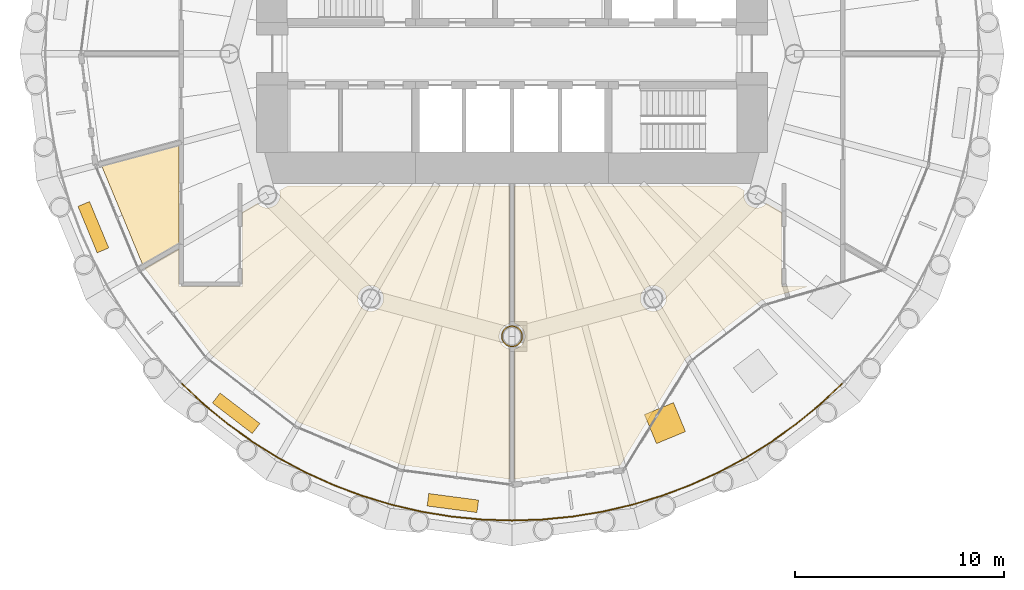
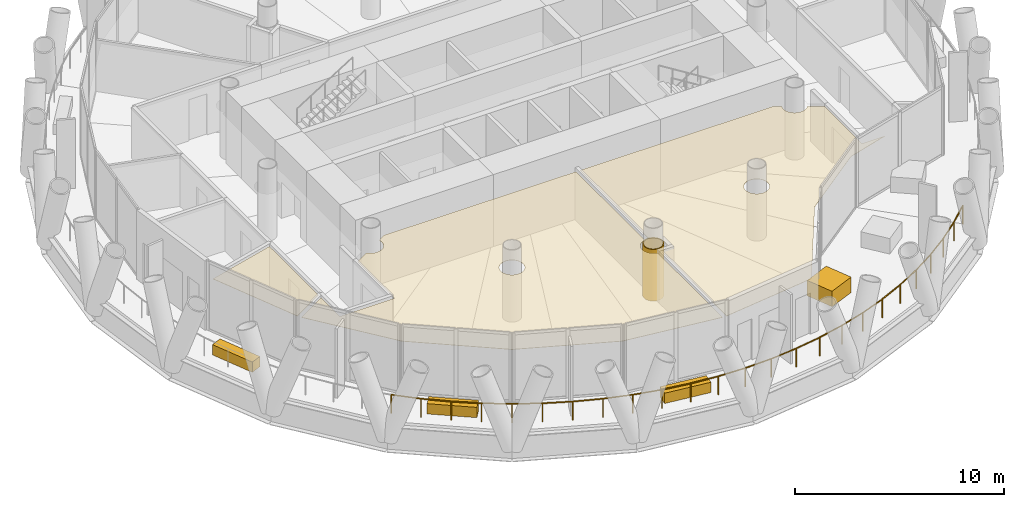
# One storey, part 11 of 14: 8 coverings, 1 railing.
"""IFC4 building model written with IfcOpenShell, lengths in metres."""

import ifcopenshell
import ifcopenshell.guid

model = None  # the IFC model being written
_history = None  # IfcOwnerHistory: only IFC2X3 demands one
_inside = {}  # id of a spatial element -> (the spatial element, [elements in it])
_under = {}  # id of a project, library or spatial element -> (it, [spatial elements below it])
_declared = {}  # id of a project -> (the project, [libraries it declares])
_typed = {}  # id of a type object -> (the type object, [elements of that type])
_made_of = {}  # id of a material, layer set ... -> (it, [elements and type objects made of it])


def new_model(schema):
    """Start an empty IFC model of exactly this schema.

    Asked for "IFC4X3", IfcOpenShell would pick the latest addendum, in which some entities
    have other attributes; the version numbers below select the first issue.
    IFC2X3 requires an IfcOwnerHistory on every rooted entity: one is made here for all.
    """
    global model, _history
    if schema == "IFC4X3":
        model = ifcopenshell.file(schema_version=(4, 3, 0, 0))
    else:
        model = ifcopenshell.file(schema=schema)
    _inside.clear()
    _under.clear()
    _declared.clear()
    _typed.clear()
    _made_of.clear()
    _history = None
    if model.schema == "IFC2X3":
        org = make("IfcOrganization", Name="unknown")
        user = make(
            "IfcPersonAndOrganization",
            ThePerson=make("IfcPerson", FamilyName="unknown"),
            TheOrganization=org,
        )
        app = make(
            "IfcApplication",
            ApplicationDeveloper=org,
            Version="unknown",
            ApplicationFullName="unknown",
            ApplicationIdentifier="unknown",
        )
        _history = make(
            "IfcOwnerHistory",
            OwningUser=user,
            OwningApplication=app,
            ChangeAction="ADDED",
            CreationDate=0,
        )
    return model


def make(cls, **values):
    """One entity of the class cls with the attributes given. An attribute that is None is left unset."""
    return model.create_entity(
        cls, **{name: value for name, value in values.items() if value is not None}
    )


def rooted(cls, **values):
    """An entity with a GlobalId (a new one), such as an element, a storey or a relation."""
    return make(cls, GlobalId=ifcopenshell.guid.new(), OwnerHistory=_history, **values)


def si_unit(unit_type, name, prefix=None):
    """IfcSIUnit, for example si_unit("LENGTHUNIT", "METRE", prefix="MILLI")."""
    return make("IfcSIUnit", UnitType=unit_type, Prefix=prefix, Name=name)


def assignment(units):
    """IfcUnitAssignment: the units of a project."""
    return None if units is None else make("IfcUnitAssignment", Units=units)


def point(xyz):
    """IfcCartesianPoint."""
    return None if xyz is None else make("IfcCartesianPoint", Coordinates=xyz)


def direction(xyz):
    """IfcDirection."""
    return None if xyz is None else make("IfcDirection", DirectionRatios=xyz)


def frame(location, z_axis=None, x_axis=None):
    """IfcAxis2Placement3D, a coordinate frame: its origin and axes. An axis left out is left unset."""
    return make(
        "IfcAxis2Placement3D",
        Location=point(location),
        Axis=direction(z_axis),
        RefDirection=direction(x_axis),
    )


def frame_2d(location, x_axis=None):
    """IfcAxis2Placement2D, a coordinate frame in the plane: its origin and x axis."""
    return make(
        "IfcAxis2Placement2D", Location=point(location), RefDirection=direction(x_axis)
    )


def origin():
    """The frame at (0, 0, 0) with its axes left unset."""
    return frame((0.0, 0.0, 0.0))


def origin_2d():
    """The frame at (0, 0) in the plane with its x axis left unset."""
    return frame_2d((0.0, 0.0))


def place(relative_to, where):
    """IfcLocalPlacement: puts the frame where relative to a parent placement (None: the world)."""
    return make(
        "IfcLocalPlacement", PlacementRelTo=relative_to, RelativePlacement=where
    )


def context(
    kind, dimensions, precision=None, world=None, true_north=None, identifier=None
):
    """IfcGeometricRepresentationContext, for example the 3D "Model" context."""
    return make(
        "IfcGeometricRepresentationContext",
        ContextIdentifier=identifier,
        ContextType=kind,
        CoordinateSpaceDimension=dimensions,
        Precision=precision,
        WorldCoordinateSystem=world,
        TrueNorth=true_north,
    )


def subcontext(parent, identifier, kind, view, scale=None):
    """IfcGeometricRepresentationSubContext, for example "Body" below "Model"."""
    return make(
        "IfcGeometricRepresentationSubContext",
        ContextIdentifier=identifier,
        ContextType=kind,
        ParentContext=parent,
        TargetScale=scale,
        TargetView=view,
    )


def project(units=None, contexts=None):
    """IfcProject with its units and contexts."""
    return rooted(
        "IfcProject",
        Name="project",
        RepresentationContexts=contexts,
        UnitsInContext=assignment(units),
    )


def spatial(cls, under=None, at=None, **own):
    """A site, building, storey or space (cls), placed at a placement, below another one or the project."""
    s = rooted(cls, ObjectPlacement=at, **own)
    if under is not None:
        _under.setdefault(under.id(), (under, []))[1].append(s)
    return s


def polyline(points):
    """IfcPolyline through the points."""
    return make("IfcPolyline", Points=[point(p) for p in points])


def profile(cls, at=None, kind="AREA", **sizes):
    """A parametric profile (cls). Its sizes go by their IFC names, for example OverallWidth=200.0."""
    return make(cls, ProfileType=kind, Position=at, **sizes)


def rectangle(**sizes):
    """IfcRectangleProfileDef."""
    return profile("IfcRectangleProfileDef", **sizes)


def circle(**sizes):
    """IfcCircleProfileDef."""
    return profile("IfcCircleProfileDef", **sizes)


def outline(outer, holes=None, kind="AREA"):
    """IfcArbitraryClosedProfileDef: a profile drawn as a closed curve; with holes, ...WithVoids."""
    if holes is None:
        return make("IfcArbitraryClosedProfileDef", ProfileType=kind, OuterCurve=outer)
    return make(
        "IfcArbitraryProfileDefWithVoids",
        ProfileType=kind,
        OuterCurve=outer,
        InnerCurves=holes,
    )


def extrude(swept, where, along, depth):
    """IfcExtrudedAreaSolid: the profile swept, set in the frame where, extruded along a direction by depth."""
    return make(
        "IfcExtrudedAreaSolid",
        SweptArea=swept,
        Position=where,
        ExtrudedDirection=direction(along),
        Depth=depth,
    )


def shape(context_of_items, identifier, shape_type, items):
    """IfcShapeRepresentation: the items that make up one representation, for example the "Body"."""
    return make(
        "IfcShapeRepresentation",
        ContextOfItems=context_of_items,
        RepresentationIdentifier=identifier,
        RepresentationType=shape_type,
        Items=items,
    )


def material(Name=None, Category=None):
    """IfcMaterial."""
    return make("IfcMaterial", Name=Name, Category=Category)


def layer(
    of_material, thickness, ventilated=None, Name=None, Category=None, Priority=None
):
    """IfcMaterialLayer: one layer of a wall or slab, of a material (None: an air gap)."""
    return make(
        "IfcMaterialLayer",
        Material=of_material,
        LayerThickness=thickness,
        IsVentilated=ventilated,
        Name=Name,
        Category=Category,
        Priority=Priority,
    )


def layer_set(layers, Name=None):
    """IfcMaterialLayerSet."""
    return make("IfcMaterialLayerSet", MaterialLayers=layers, LayerSetName=Name)


def made_of(thing, what):
    """Note that an element or type object is made of a material, layer set ...; save() writes the relation."""
    if what is not None:
        _made_of.setdefault(what.id(), (what, []))[1].append(thing)
    return thing


def type_object(cls, material=None, **own):
    """A type object (cls), such as IfcWallType, which elements share."""
    return made_of(rooted(cls, **own), material)


def element(
    cls,
    number,
    at=None,
    inside=None,
    cuts=None,
    type_object=None,
    material=None,
    context=None,
    identifier="Body",
    shape_type=None,
    held_by="IfcProductDefinitionShape",
    body=None,
    shapes=None,
    **own,
):
    """One element of the class cls, such as IfcWall. Its Tag is "e" and its number.

    at: its placement. inside: the storey or other place that contains it. cuts: it is an
    opening in that element (IfcRelVoidsElement). A single representation is given by context,
    identifier, shape_type and body (its items); several are given by shapes. held_by: the class
    of the entity that holds the representations. save() writes the other relations.
    """
    e = rooted(cls, Tag="e%d" % number, ObjectPlacement=at, **own)
    if body is not None:
        shapes = [shape(context, identifier, shape_type, body)]
    if shapes is not None:
        e.Representation = make(held_by, Representations=shapes)
    if inside is not None:
        _inside.setdefault(inside.id(), (inside, []))[1].append(e)
    if cuts is not None:
        rooted(
            "IfcRelVoidsElement", RelatingBuildingElement=cuts, RelatedOpeningElement=e
        )
    if type_object is not None:
        _typed.setdefault(type_object.id(), (type_object, []))[1].append(e)
    return made_of(e, material)


def aggregate(whole, parts):
    """IfcRelAggregates: a whole, such as a stair, and the parts it consists of."""
    return rooted("IfcRelAggregates", RelatingObject=whole, RelatedObjects=parts)


def save(model, path):
    """Write the relations noted so far, then the file.

    IfcRelAggregates (storeys below a building ...), IfcRelContainedInSpatialStructure (elements
    in a storey), IfcRelDefinesByType, IfcRelAssociatesMaterial and IfcRelDeclares: one each for
    every whole, place, type object, material and project.
    """
    for whole, parts in _under.values():
        aggregate(whole, parts)
    for where, things in _inside.values():
        rooted(
            "IfcRelContainedInSpatialStructure",
            RelatedElements=things,
            RelatingStructure=where,
        )
    for kind, things in _typed.values():
        rooted("IfcRelDefinesByType", RelatedObjects=things, RelatingType=kind)
    for what, things in _made_of.values():
        rooted("IfcRelAssociatesMaterial", RelatedObjects=things, RelatingMaterial=what)
    for by, libraries in _declared.values():
        rooted("IfcRelDeclares", RelatingContext=by, RelatedDefinitions=libraries)
    model.write(path)


model = new_model("IFC4")

# Units and contexts
model_context = context("Model", 3, precision=1e-05, world=origin(), true_north=direction((0.0, 1.0)))
body_context = subcontext(model_context, "Body", "Model", "MODEL_VIEW")
ifc_project = project(units=[si_unit("LENGTHUNIT", "METRE"), si_unit("AREAUNIT", "SQUARE_METRE"), si_unit("VOLUMEUNIT", "CUBIC_METRE"), si_unit("PLANEANGLEUNIT", "RADIAN"), si_unit("MASSUNIT", "GRAM", prefix="KILO")], contexts=[model_context])

# Site, building, storey
site_placement = place(None, origin())
site = spatial("IfcSite", under=ifc_project, at=site_placement, CompositionType="ELEMENT")
building_placement = place(site_placement, origin())
building = spatial("IfcBuilding", under=site, at=building_placement, Name="Qaws Media Tower", CompositionType="ELEMENT")
storey_placement = place(building_placement, frame((0.0, 0.0, 210.800048828125)))
storey = spatial("IfcBuildingStorey", under=building, at=storey_placement, Name="L48", CompositionType="ELEMENT", Elevation=210.800048828125)

# Railing
ifc_material_1 = material(Name="Stainless steel and glass guard", Category="steel")
railing_type = type_object("IfcRailingType", Name="Balcony guard 1100", PredefinedType="GUARDRAIL", material=ifc_material_1)
railing_placement = place(storey_placement, frame((44.2314453125, 34.2314453125, 0.0)))
element("IfcRailing", 1, at=railing_placement, inside=storey, type_object=railing_type, Name="GR1 balcony guard L48-3", PredefinedType="GUARDRAIL", context=body_context, shape_type="SweptSolid", body=[
    extrude(circle(Radius=0.02392578125, at=origin_2d()), frame((0.0, 0.0, 1.076171875), z_axis=(0.72989707755, -0.683557061396, 0.0), x_axis=(0.683557061396, 0.72989707755, 0.0)), (0.0, 0.0, 1.0), 1.45947265625),
    extrude(circle(Radius=0.02392578125, at=origin_2d()), frame((1.065185546875, -0.99755859375, 1.076171875), z_axis=(0.772972382997, -0.6344396702, 0.0), x_axis=(0.6344396702, 0.772972382997, 0.0)), (0.0, 0.0, 1.0), 1.459228515625),
    extrude(circle(Radius=0.02392578125, at=origin_2d()), frame((2.193115234375, -1.92333984375, 1.076171875), z_axis=(0.812918773446, -0.582377083837, 0.0), x_axis=(0.582377083837, 0.812918773446, 0.0)), (0.0, 0.0, 1.0), 1.459228515625),
    extrude(circle(Radius=0.02392578125, at=origin_2d()), frame((3.37939453125, -2.773193359375, 1.076171875), z_axis=(0.849236664159, -0.528012394028, 0.0), x_axis=(0.528012394028, 0.849236664159, 0.0)), (0.0, 0.0, 1.0), 1.459228515625),
    extrude(circle(Radius=0.02392578125, at=origin_2d()), frame((4.61865234375, -3.543701171875, 1.076171875), z_axis=(0.881880097738, -0.471473746049, 0.0), x_axis=(0.471473746049, 0.881880097738, 0.0)), (0.0, 0.0, 1.0), 1.459228515625),
    extrude(circle(Radius=0.02392578125, at=origin_2d()), frame((5.905517578125, -4.231689453125, 1.076171875), z_axis=(0.910841452215, -0.41275640386, 0.0), x_axis=(0.41275640386, 0.910841452215, 0.0)), (0.0, 0.0, 1.0), 1.459228515625),
    extrude(circle(Radius=0.02392578125, at=origin_2d()), frame((7.234619140625, -4.833984375, 1.076171875), z_axis=(0.935929780964, -0.352186662304, 0.0), x_axis=(0.352186662304, 0.935929780964, 0.0)), (0.0, 0.0, 1.0), 1.459228515625),
    extrude(circle(Radius=0.02392578125, at=origin_2d()), frame((8.600341796875, -5.347900390625, 1.076171875), z_axis=(0.956946982527, -0.290262764805, 0.0), x_axis=(0.290262764805, 0.956946982527, 0.0)), (0.0, 0.0, 1.0), 1.459228515625),
    extrude(circle(Radius=0.02392578125, at=origin_2d()), frame((9.996826171875, -5.771484375, 1.076171875), z_axis=(0.973849847258, -0.227192594499, 0.0), x_axis=(0.227192594499, 0.973849847258, 0.0)), (0.0, 0.0, 1.0), 1.459228515625),
    extrude(circle(Radius=0.02392578125, at=origin_2d()), frame((11.41796875, -6.10302734375, 1.076171875), z_axis=(0.986663858539, -0.162771097721, 0.0), x_axis=(0.162771097721, 0.986663858539, 0.0)), (0.0, 0.0, 1.0), 1.45947265625),
    extrude(circle(Radius=0.02392578125, at=origin_2d()), frame((12.85791015625, -6.340576171875, 1.076171875), z_axis=(0.99518190062, -0.098045829483, 0.0), x_axis=(0.098045829483, 0.99518190062, 0.0)), (0.0, 0.0, 1.0), 1.459228515625),
    extrude(circle(Radius=0.02392578125, at=origin_2d()), frame((14.31005859375, -6.483642578125, 1.076171875), z_axis=(0.99946222418, -0.032791194499, 0.0), x_axis=(0.032791194499, 0.99946222418, 0.0)), (0.0, 0.0, 1.0), 1.459228515625),
    extrude(circle(Radius=0.02392578125, at=origin_2d()), frame((15.7685546875, -6.531494140625, 1.076171875), z_axis=(0.99946222418, 0.032791194499, 0.0), x_axis=(-0.032791194499, 0.99946222418, 0.0)), (0.0, 0.0, 1.0), 1.459228515625),
    extrude(circle(Radius=0.02392578125, at=origin_2d()), frame((17.22705078125, -6.483642578125, 1.076171875), z_axis=(0.99518190062, 0.098045829483, 0.0), x_axis=(-0.098045829483, 0.99518190062, 0.0)), (0.0, 0.0, 1.0), 1.459228515625),
    extrude(circle(Radius=0.02392578125, at=origin_2d()), frame((18.67919921875, -6.340576171875, 1.076171875), z_axis=(0.986663858539, 0.162771097721, 0.0), x_axis=(-0.162771097721, 0.986663858539, 0.0)), (0.0, 0.0, 1.0), 1.45947265625),
    extrude(circle(Radius=0.02392578125, at=origin_2d()), frame((20.119140625, -6.10302734375, 1.076171875), z_axis=(0.973849847258, 0.227192594499, 0.0), x_axis=(-0.227192594499, 0.973849847258, 0.0)), (0.0, 0.0, 1.0), 1.459228515625),
    extrude(circle(Radius=0.02392578125, at=origin_2d()), frame((21.540283203125, -5.771484375, 1.076171875), z_axis=(0.956946982527, 0.290262764805, 0.0), x_axis=(-0.290262764805, 0.956946982527, 0.0)), (0.0, 0.0, 1.0), 1.459228515625),
    extrude(circle(Radius=0.02392578125, at=origin_2d()), frame((22.936767578125, -5.347900390625, 1.076171875), z_axis=(0.935929780964, 0.352186662304, 0.0), x_axis=(-0.352186662304, 0.935929780964, 0.0)), (0.0, 0.0, 1.0), 1.459228515625),
    extrude(circle(Radius=0.02392578125, at=origin_2d()), frame((24.302490234375, -4.833984375, 1.076171875), z_axis=(0.910841452215, 0.41275640386, 0.0), x_axis=(-0.41275640386, 0.910841452215, 0.0)), (0.0, 0.0, 1.0), 1.459228515625),
    extrude(circle(Radius=0.02392578125, at=origin_2d()), frame((25.631591796875, -4.231689453125, 1.076171875), z_axis=(0.881880097738, 0.471473746049, 0.0), x_axis=(-0.471473746049, 0.881880097738, 0.0)), (0.0, 0.0, 1.0), 1.459228515625),
    extrude(circle(Radius=0.02392578125, at=origin_2d()), frame((26.91845703125, -3.543701171875, 1.076171875), z_axis=(0.849236664159, 0.528012394028, 0.0), x_axis=(-0.528012394028, 0.849236664159, 0.0)), (0.0, 0.0, 1.0), 1.459228515625),
    extrude(circle(Radius=0.02392578125, at=origin_2d()), frame((28.15771484375, -2.773193359375, 1.076171875), z_axis=(0.812918773446, 0.582377083837, 0.0), x_axis=(-0.582377083837, 0.812918773446, 0.0)), (0.0, 0.0, 1.0), 1.459228515625),
    extrude(circle(Radius=0.02392578125, at=origin_2d()), frame((29.343994140625, -1.92333984375, 1.076171875), z_axis=(0.772972382997, 0.6344396702, 0.0), x_axis=(-0.6344396702, 0.772972382997, 0.0)), (0.0, 0.0, 1.0), 1.459228515625),
    extrude(circle(Radius=0.02392578125, at=origin_2d()), frame((30.471923828125, -0.99755859375, 1.076171875), z_axis=(0.72989707755, 0.683557061396, 0.0), x_axis=(-0.683557061396, 0.72989707755, 0.0)), (0.0, 0.0, 1.0), 1.45947265625),
    extrude(circle(Radius=0.02099609375, at=origin_2d()), origin(), (0.0, 0.0, 1.0), 1.052001953125),
    extrude(circle(Radius=0.02099609375, at=origin_2d()), frame((1.065185546875, -0.99755859375, 0.0)), (0.0, 0.0, 1.0), 1.052001953125),
    extrude(circle(Radius=0.02099609375, at=origin_2d()), frame((2.193115234375, -1.92333984375, 0.0)), (0.0, 0.0, 1.0), 1.052001953125),
    extrude(circle(Radius=0.02099609375, at=origin_2d()), frame((3.37939453125, -2.773193359375, 0.0)), (0.0, 0.0, 1.0), 1.052001953125),
    extrude(circle(Radius=0.02099609375, at=origin_2d()), frame((4.61865234375, -3.543701171875, 0.0)), (0.0, 0.0, 1.0), 1.052001953125),
    extrude(circle(Radius=0.02099609375, at=origin_2d()), frame((5.905517578125, -4.231689453125, 0.0)), (0.0, 0.0, 1.0), 1.052001953125),
    extrude(circle(Radius=0.02099609375, at=origin_2d()), frame((7.234619140625, -4.833984375, 0.0)), (0.0, 0.0, 1.0), 1.052001953125),
    extrude(circle(Radius=0.02099609375, at=origin_2d()), frame((8.600341796875, -5.347900390625, 0.0)), (0.0, 0.0, 1.0), 1.052001953125),
    extrude(circle(Radius=0.02099609375, at=origin_2d()), frame((9.996826171875, -5.771484375, 0.0)), (0.0, 0.0, 1.0), 1.052001953125),
    extrude(circle(Radius=0.02099609375, at=origin_2d()), frame((11.41796875, -6.10302734375, 0.0)), (0.0, 0.0, 1.0), 1.052001953125),
    extrude(circle(Radius=0.02099609375, at=origin_2d()), frame((12.85791015625, -6.340576171875, 0.0)), (0.0, 0.0, 1.0), 1.052001953125),
    extrude(circle(Radius=0.02099609375, at=origin_2d()), frame((14.31005859375, -6.483642578125, 0.0)), (0.0, 0.0, 1.0), 1.052001953125),
    extrude(circle(Radius=0.02099609375, at=origin_2d()), frame((15.7685546875, -6.531494140625, 0.0)), (0.0, 0.0, 1.0), 1.052001953125),
    extrude(circle(Radius=0.02099609375, at=origin_2d()), frame((17.22705078125, -6.483642578125, 0.0)), (0.0, 0.0, 1.0), 1.052001953125),
    extrude(circle(Radius=0.02099609375, at=origin_2d()), frame((18.67919921875, -6.340576171875, 0.0)), (0.0, 0.0, 1.0), 1.052001953125),
    extrude(circle(Radius=0.02099609375, at=origin_2d()), frame((20.119140625, -6.10302734375, 0.0)), (0.0, 0.0, 1.0), 1.052001953125),
    extrude(circle(Radius=0.02099609375, at=origin_2d()), frame((21.540283203125, -5.771484375, 0.0)), (0.0, 0.0, 1.0), 1.052001953125),
    extrude(circle(Radius=0.02099609375, at=origin_2d()), frame((22.936767578125, -5.347900390625, 0.0)), (0.0, 0.0, 1.0), 1.052001953125),
    extrude(circle(Radius=0.02099609375, at=origin_2d()), frame((24.302490234375, -4.833984375, 0.0)), (0.0, 0.0, 1.0), 1.052001953125),
    extrude(circle(Radius=0.02099609375, at=origin_2d()), frame((25.631591796875, -4.231689453125, 0.0)), (0.0, 0.0, 1.0), 1.052001953125),
    extrude(circle(Radius=0.02099609375, at=origin_2d()), frame((26.91845703125, -3.543701171875, 0.0)), (0.0, 0.0, 1.0), 1.052001953125),
    extrude(circle(Radius=0.02099609375, at=origin_2d()), frame((28.15771484375, -2.773193359375, 0.0)), (0.0, 0.0, 1.0), 1.052001953125),
    extrude(circle(Radius=0.02099609375, at=origin_2d()), frame((29.343994140625, -1.92333984375, 0.0)), (0.0, 0.0, 1.0), 1.052001953125),
    extrude(circle(Radius=0.02099609375, at=origin_2d()), frame((30.471923828125, -0.99755859375, 0.0)), (0.0, 0.0, 1.0), 1.052001953125),
    extrude(circle(Radius=0.02099609375, at=origin_2d()), frame((31.537109375, 0.0, 0.0)), (0.0, 0.0, 1.0), 1.052001953125),
])

# Coverings
ifc_material_2 = material(Name="Two layers 15 fire-rated gypsum board on steel framing", Category="steel")
ifc_layer_1 = layer(ifc_material_2, 0.050048828125)
ifc_layer_set_1 = layer_set([ifc_layer_1], Name="Column fire casing")
covering_type_1 = type_object("IfcCoveringType", Name="Column fire casing", PredefinedType="CLADDING", material=ifc_layer_set_1)
covering_1_placement = place(storey_placement, origin())
element("IfcCovering", 2, at=covering_1_placement, inside=storey, type_object=covering_type_1, Name="CC1 column casing L48", PredefinedType="CLADDING", context=body_context, shape_type="SweptSolid", body=[
    extrude(outline(polyline([(60.511962890625, 36.5), (60.507568359375, 36.43310546875), (60.49462890625, 36.367431640625), (60.472900390625, 36.30419921875), (60.443359375, 36.243896484375), (60.40625, 36.188232421875), (60.362060546875, 36.137939453125), (60.311767578125, 36.09375), (60.256103515625, 36.056640625), (60.19580078125, 36.027099609375), (60.132568359375, 36.00537109375), (60.06689453125, 35.992431640625), (60.0, 35.988037109375), (59.93310546875, 35.992431640625), (59.867431640625, 36.00537109375), (59.80419921875, 36.027099609375), (59.743896484375, 36.056640625), (59.688232421875, 36.09375), (59.637939453125, 36.137939453125), (59.59375, 36.188232421875), (59.556640625, 36.243896484375), (59.527099609375, 36.30419921875), (59.50537109375, 36.367431640625), (59.492431640625, 36.43310546875), (59.488037109375, 36.5), (59.492431640625, 36.56689453125), (59.50537109375, 36.632568359375), (59.527099609375, 36.69580078125), (59.556640625, 36.756103515625), (59.59375, 36.811767578125), (59.637939453125, 36.862060546875), (59.688232421875, 36.90625), (59.743896484375, 36.943359375), (59.80419921875, 36.972900390625), (59.867431640625, 36.99462890625), (59.93310546875, 37.007568359375), (60.0, 37.011962890625), (60.06689453125, 37.007568359375), (60.132568359375, 36.99462890625), (60.19580078125, 36.972900390625), (60.256103515625, 36.943359375), (60.311767578125, 36.90625), (60.362060546875, 36.862060546875), (60.40625, 36.811767578125), (60.443359375, 36.756103515625), (60.472900390625, 36.69580078125), (60.49462890625, 36.632568359375), (60.507568359375, 36.56689453125), (60.511962890625, 36.5)]), holes=[polyline([(60.4599609375, 36.5), (60.4560546875, 36.43994140625), (60.4443359375, 36.380859375), (60.425048828125, 36.323974609375), (60.3984375, 36.27001953125), (60.364990234375, 36.219970703125), (60.3251953125, 36.1748046875), (60.280029296875, 36.135009765625), (60.22998046875, 36.1015625), (60.176025390625, 36.074951171875), (60.119140625, 36.0556640625), (60.06005859375, 36.0439453125), (60.0, 36.0400390625), (59.93994140625, 36.0439453125), (59.880859375, 36.0556640625), (59.823974609375, 36.074951171875), (59.77001953125, 36.1015625), (59.719970703125, 36.135009765625), (59.6748046875, 36.1748046875), (59.635009765625, 36.219970703125), (59.6015625, 36.27001953125), (59.574951171875, 36.323974609375), (59.5556640625, 36.380859375), (59.5439453125, 36.43994140625), (59.5400390625, 36.5), (59.5439453125, 36.56005859375), (59.5556640625, 36.619140625), (59.574951171875, 36.676025390625), (59.6015625, 36.72998046875), (59.635009765625, 36.780029296875), (59.6748046875, 36.8251953125), (59.719970703125, 36.864990234375), (59.77001953125, 36.8984375), (59.823974609375, 36.925048828125), (59.880859375, 36.9443359375), (59.93994140625, 36.9560546875), (60.0, 36.9599609375), (60.06005859375, 36.9560546875), (60.119140625, 36.9443359375), (60.176025390625, 36.925048828125), (60.22998046875, 36.8984375), (60.280029296875, 36.864990234375), (60.3251953125, 36.8251953125), (60.364990234375, 36.780029296875), (60.3984375, 36.72998046875), (60.425048828125, 36.676025390625), (60.4443359375, 36.619140625), (60.4560546875, 36.56005859375), (60.4599609375, 36.5)])]), origin(), (0.0, 0.0, 1.0), 3.011962890625),
])
ifc_material_3 = material(Name="600 x 600 mineral fibre tiles in exposed grid, suspended", Category="mineral fibre")
ifc_layer_2 = layer(ifc_material_3, 0.02001953125)
ifc_layer_set_2 = layer_set([ifc_layer_2], Name="Mineral fibre tile ceiling 20")
covering_type_2 = type_object("IfcCoveringType", Name="Mineral fibre tile ceiling 20", PredefinedType="CEILING", material=ifc_layer_set_2)
covering_2_placement = place(storey_placement, frame((0.0, 0.0, 2.849853515625)))
element("IfcCovering", 3, at=covering_2_placement, inside=storey, type_object=covering_type_2, Name="CL1 ceiling L48-07 Edit room", PredefinedType="CEILING", context=body_context, shape_type="SweptSolid", body=[
    extrude(outline(polyline([(40.401123046875, 44.632080078125), (44.08740234375, 45.619873046875), (44.08740234375, 40.94287109375), (42.345703125, 39.937255859375), (40.401123046875, 44.632080078125)])), origin(), (0.0, 0.0, 1.0), 0.02001953125),
])
covering_3_placement = place(storey_placement, frame((0.0, 0.0, 2.849853515625)))
element("IfcCovering", 4, at=covering_3_placement, inside=storey, type_object=covering_type_2, Name="CL1 ceiling L48-08 Tenant studio office", PredefinedType="CEILING", context=body_context, shape_type="SweptSolid", body=[
    extrude(outline(polyline([(54.73681640625, 30.357666015625), (49.83251953125, 32.38916015625), (45.620849609375, 35.620849609375), (42.458251953125, 39.742431640625), (44.08740234375, 40.68310546875), (44.08740234375, 38.887451171875), (47.112548828125, 38.887451171875), (47.112548828125, 42.429443359375), (47.840576171875, 42.849853515625), (47.872314453125, 42.813720703125), (47.93310546875, 42.760498046875), (48.000244140625, 42.7158203125), (48.072509765625, 42.679931640625), (48.14892578125, 42.654052734375), (48.22802734375, 42.63818359375), (48.30859375, 42.633056640625), (48.38916015625, 42.63818359375), (48.46826171875, 42.654052734375), (48.544921875, 42.679931640625), (48.6171875, 42.7158203125), (48.684326171875, 42.760498046875), (48.744873046875, 42.813720703125), (48.798095703125, 42.87451171875), (48.843017578125, 42.94140625), (48.878662109375, 43.013916015625), (48.904541015625, 43.09033203125), (48.92041015625, 43.16943359375), (48.92578125, 43.25), (48.92041015625, 43.33056640625), (48.904541015625, 43.40966796875), (48.88916015625, 43.455322265625), (49.29150390625, 43.6875), (59.887451171875, 43.6875), (59.887451171875, 37.10546875), (59.84033203125, 37.095947265625), (59.763916015625, 37.070068359375), (59.69140625, 37.0341796875), (59.62451171875, 36.989501953125), (59.563720703125, 36.936279296875), (59.510498046875, 36.87548828125), (59.4658203125, 36.80859375), (59.429931640625, 36.736083984375), (59.404052734375, 36.65966796875), (59.38818359375, 36.58056640625), (59.383056640625, 36.5), (59.38818359375, 36.41943359375), (59.404052734375, 36.34033203125), (59.429931640625, 36.263916015625), (59.4658203125, 36.19140625), (59.510498046875, 36.12451171875), (59.563720703125, 36.063720703125), (59.62451171875, 36.010498046875), (59.69140625, 35.9658203125), (59.763916015625, 35.929931640625), (59.84033203125, 35.904052734375), (59.887451171875, 35.89453125), (59.887451171875, 29.6796875), (54.73681640625, 30.357666015625)]), holes=[polyline([(53.845947265625, 38.14892578125), (53.86181640625, 38.22802734375), (53.866943359375, 38.30859375), (53.86181640625, 38.38916015625), (53.845947265625, 38.46826171875), (53.820068359375, 38.544921875), (53.7841796875, 38.6171875), (53.739501953125, 38.684326171875), (53.686279296875, 38.744873046875), (53.62548828125, 38.798095703125), (53.55859375, 38.843017578125), (53.486083984375, 38.878662109375), (53.40966796875, 38.904541015625), (53.33056640625, 38.92041015625), (53.25, 38.92578125), (53.16943359375, 38.92041015625), (53.09033203125, 38.904541015625), (53.013916015625, 38.878662109375), (52.94140625, 38.843017578125), (52.87451171875, 38.798095703125), (52.813720703125, 38.744873046875), (52.760498046875, 38.684326171875), (52.7158203125, 38.6171875), (52.679931640625, 38.544921875), (52.654052734375, 38.46826171875), (52.63818359375, 38.38916015625), (52.633056640625, 38.30859375), (52.63818359375, 38.22802734375), (52.654052734375, 38.14892578125), (52.679931640625, 38.072509765625), (52.7158203125, 38.000244140625), (52.760498046875, 37.93310546875), (52.813720703125, 37.872314453125), (52.87451171875, 37.819091796875), (52.94140625, 37.7744140625), (53.013916015625, 37.738525390625), (53.09033203125, 37.712646484375), (53.16943359375, 37.697021484375), (53.25, 37.691650390625), (53.33056640625, 37.697021484375), (53.40966796875, 37.712646484375), (53.486083984375, 37.738525390625), (53.55859375, 37.7744140625), (53.62548828125, 37.819091796875), (53.686279296875, 37.872314453125), (53.739501953125, 37.93310546875), (53.7841796875, 38.000244140625), (53.820068359375, 38.072509765625), (53.845947265625, 38.14892578125)])]), origin(), (0.0, 0.0, 1.0), 0.02001953125),
])
covering_4_placement = place(storey_placement, frame((0.0, 0.0, 2.849853515625)))
element("IfcCovering", 5, at=covering_4_placement, inside=storey, type_object=covering_type_2, Name="CL1 ceiling L48-09 Tenant studio office", PredefinedType="CEILING", context=body_context, shape_type="SweptSolid", body=[
    extrude(outline(polyline([(72.887451171875, 38.887451171875), (74.166748046875, 38.887451171875), (71.899658203125, 38.217041015625), (68.301513671875, 35.456298828125), (65.173095703125, 30.345703125), (60.112548828125, 29.6796875), (60.112548828125, 35.89453125), (60.15966796875, 35.904052734375), (60.236083984375, 35.929931640625), (60.30859375, 35.9658203125), (60.37548828125, 36.010498046875), (60.436279296875, 36.063720703125), (60.489501953125, 36.12451171875), (60.5341796875, 36.19140625), (60.570068359375, 36.263916015625), (60.595947265625, 36.34033203125), (60.61181640625, 36.41943359375), (60.616943359375, 36.5), (60.61181640625, 36.58056640625), (60.595947265625, 36.65966796875), (60.570068359375, 36.736083984375), (60.5341796875, 36.80859375), (60.489501953125, 36.87548828125), (60.436279296875, 36.936279296875), (60.37548828125, 36.989501953125), (60.30859375, 37.0341796875), (60.236083984375, 37.070068359375), (60.15966796875, 37.095947265625), (60.112548828125, 37.10546875), (60.112548828125, 43.6875), (70.70849609375, 43.6875), (71.11083984375, 43.455322265625), (71.095458984375, 43.40966796875), (71.07958984375, 43.33056640625), (71.07421875, 43.25), (71.07958984375, 43.16943359375), (71.095458984375, 43.09033203125), (71.121337890625, 43.013916015625), (71.156982421875, 42.94140625), (71.201904296875, 42.87451171875), (71.255126953125, 42.813720703125), (71.315673828125, 42.760498046875), (71.3828125, 42.7158203125), (71.455078125, 42.679931640625), (71.53173828125, 42.654052734375), (71.61083984375, 42.63818359375), (71.69140625, 42.633056640625), (71.77197265625, 42.63818359375), (71.85107421875, 42.654052734375), (71.927490234375, 42.679931640625), (71.999755859375, 42.7158203125), (72.06689453125, 42.760498046875), (72.127685546875, 42.813720703125), (72.159423828125, 42.849853515625), (72.887451171875, 42.429443359375), (72.887451171875, 38.887451171875)]), holes=[polyline([(67.320068359375, 38.072509765625), (67.345947265625, 38.14892578125), (67.36181640625, 38.22802734375), (67.366943359375, 38.30859375), (67.36181640625, 38.38916015625), (67.345947265625, 38.46826171875), (67.320068359375, 38.544921875), (67.2841796875, 38.6171875), (67.239501953125, 38.684326171875), (67.186279296875, 38.744873046875), (67.12548828125, 38.798095703125), (67.05859375, 38.843017578125), (66.986083984375, 38.878662109375), (66.90966796875, 38.904541015625), (66.83056640625, 38.92041015625), (66.75, 38.92578125), (66.66943359375, 38.92041015625), (66.59033203125, 38.904541015625), (66.513916015625, 38.878662109375), (66.44140625, 38.843017578125), (66.37451171875, 38.798095703125), (66.313720703125, 38.744873046875), (66.260498046875, 38.684326171875), (66.2158203125, 38.6171875), (66.179931640625, 38.544921875), (66.154052734375, 38.46826171875), (66.13818359375, 38.38916015625), (66.133056640625, 38.30859375), (66.13818359375, 38.22802734375), (66.154052734375, 38.14892578125), (66.179931640625, 38.072509765625), (66.2158203125, 38.000244140625), (66.260498046875, 37.93310546875), (66.313720703125, 37.872314453125), (66.37451171875, 37.819091796875), (66.44140625, 37.7744140625), (66.513916015625, 37.738525390625), (66.59033203125, 37.712646484375), (66.66943359375, 37.697021484375), (66.75, 37.691650390625), (66.83056640625, 37.697021484375), (66.90966796875, 37.712646484375), (66.986083984375, 37.738525390625), (67.05859375, 37.7744140625), (67.12548828125, 37.819091796875), (67.186279296875, 37.872314453125), (67.239501953125, 37.93310546875), (67.2841796875, 38.000244140625), (67.320068359375, 38.072509765625)])]), origin(), (0.0, 0.0, 1.0), 0.02001953125),
])
ifc_material_4 = material(Name="Precast concrete planter with trailing planting", Category="concrete")
ifc_layer_3 = layer(ifc_material_4, 0.60009765625)
ifc_layer_set_3 = layer_set([ifc_layer_3], Name="Planter 2400x600")
covering_type_3 = type_object("IfcCoveringType", Name="Planter 2400x600", PredefinedType="USERDEFINED", material=ifc_layer_set_3)
for number, where, z_axis, x_axis, name in (
    (6, (39.998046875, 41.71484375, 0.0), (0.0, 0.0, 1.0), (0.382683432365, -0.923879532511, 0.0), "PL1 balcony planter L48-07"),
    (7, (46.8203125, 32.823974609375, 0.0), (0.0, 0.0, 1.0), (0.793353340291, -0.608761429009, 0.0), "PL1 balcony planter L48-08"),
    (8, (57.174072265625, 28.53515625, 0.0), (0.0, 0.0, 1.0), (0.991444861374, -0.13052619222, 0.0), "PL1 balcony planter L48-09"),
):
    element("IfcCovering", number, at=place(storey_placement, frame(where, z_axis=z_axis, x_axis=x_axis)), inside=storey, type_object=covering_type_3, Name=name, ObjectType="PLANTER", PredefinedType="USERDEFINED", context=body_context, shape_type="SweptSolid", body=[
        extrude(rectangle(XDim=2.39990234375, YDim=0.60009765625, at=origin_2d()), origin(), (0.0, 0.0, 1.0), 0.60009765625),
    ])
ifc_material_5 = material(Name="Precast concrete tree planter", Category="concrete")
ifc_layer_4 = layer(ifc_material_5, 0.89990234375)
ifc_layer_set_4 = layer_set([ifc_layer_4], Name="Tree planter 1500")
covering_type_4 = type_object("IfcCoveringType", Name="Tree planter 1500", PredefinedType="USERDEFINED", material=ifc_layer_set_4)
covering_5_placement = place(storey_placement, frame((67.309326171875, 32.35400390625, 0.0), z_axis=(0.0, 0.0, 1.0), x_axis=(0.382683432365, -0.923879532511, 0.0)))
element("IfcCovering", 9, at=covering_5_placement, inside=storey, type_object=covering_type_4, Name="PL2 sky garden tree planter L48-1", ObjectType="PLANTER", PredefinedType="USERDEFINED", context=body_context, shape_type="SweptSolid", body=[
    extrude(rectangle(XDim=1.5, YDim=1.5, at=origin_2d()), origin(), (0.0, 0.0, 1.0), 0.89990234375),
])

save(model, "model.ifc")
